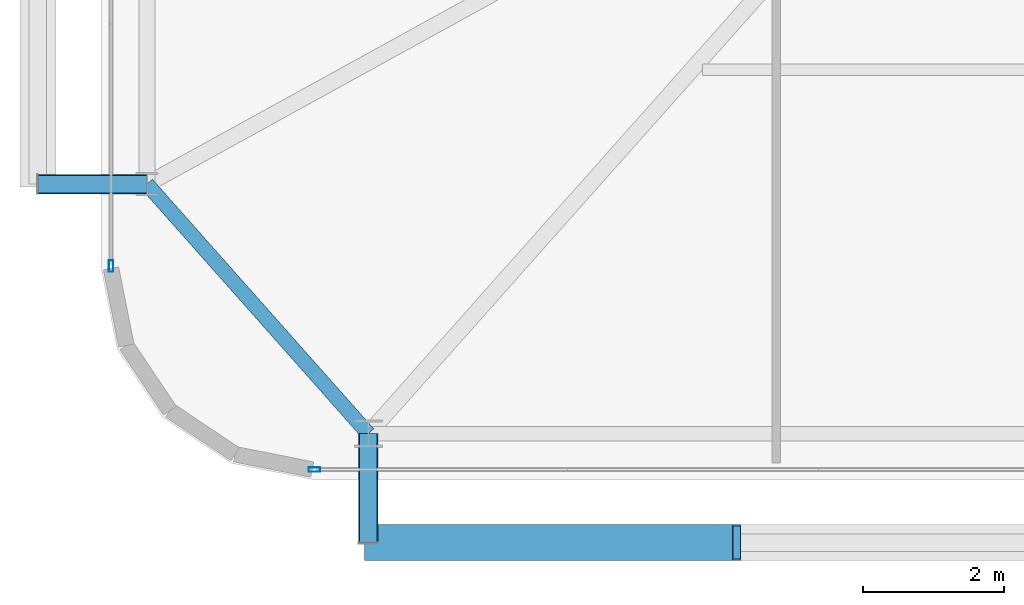
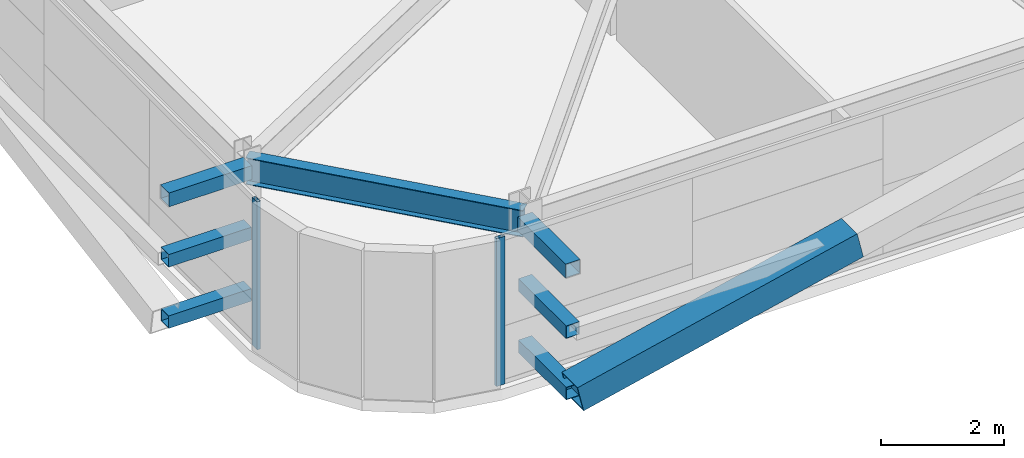
# One storey, part 5 of 44: 9 members, 1 beam, 2 elements without a shape of their own.
"""IFC4 building model written with IfcOpenShell, lengths in metres."""

from ifc_helpers import new_model, si_unit, direction, frame, origin, origin_2d, place, context, subcontext, project, spatial, hollow_rectangle, i_section, extrude, source, transform, mapped, material, layer, layer_set, material_profile, profile_set, type_object, element, aggregate, save


model = new_model("IFC4")

# Units and contexts
model_context = context("Model", 3, precision=1e-05, world=origin(), true_north=direction((0.0, 1.0)))
body_context = subcontext(model_context, "Body", "Model", "MODEL_VIEW")
ifc_project = project(units=[si_unit("LENGTHUNIT", "METRE"), si_unit("AREAUNIT", "SQUARE_METRE"), si_unit("VOLUMEUNIT", "CUBIC_METRE"), si_unit("PLANEANGLEUNIT", "RADIAN"), si_unit("MASSUNIT", "GRAM", prefix="KILO")], contexts=[model_context])

# Site, building, storey
site_placement = place(None, origin())
site = spatial("IfcSite", under=ifc_project, at=site_placement, CompositionType="ELEMENT")
building_placement = place(site_placement, origin())
building = spatial("IfcBuilding", under=site, at=building_placement, Name="Taldren Reach Tower", CompositionType="ELEMENT")
storey_placement = place(building_placement, frame((0.0, 0.0, 42.0)))
storey = spatial("IfcBuildingStorey", under=building, at=storey_placement, Name="L12", CompositionType="ELEMENT", Elevation=42.0)

# Beam
ifc_material_1 = material(Name="Steel Gr 350 (350PLUS)", Category="steel")
ifc_material_profile_1 = material_profile(ifc_material_1, i_section(OverallWidth=0.208984375, OverallDepth=0.528076171875, WebThickness=0.009521484375, FlangeThickness=0.01318359375, at=origin_2d()), Name="530UB82.0")
ifc_profile_set_1 = profile_set([ifc_material_profile_1], Name="Steel Gr 350 (350PLUS)")
beam_type = type_object("IfcBeamType", Name="SP-UB530B", PredefinedType="SPANDREL", material=ifc_profile_set_1)
shared_shape_1 = source(origin(), body_context, "Body", "SweptSolid", [
    extrude(i_section(OverallWidth=0.208984375, OverallDepth=0.528076171875, WebThickness=0.009521484375, FlangeThickness=0.01318359375, at=origin_2d()), origin(), (0.0, 0.0, 1.0), 4.74609375),
])
beam_placement = place(storey_placement, frame((5.64990234375, 5.699951171875, 2.666015625), z_axis=(0.663721843779, -0.747979487747, 0.0), x_axis=(0.747979487747, 0.663721843779, 0.0)))
element("IfcBeam", 1, at=beam_placement, inside=storey, type_object=beam_type, Name="Perimeter spandrel B1 W1-S1 L12", PredefinedType="SPANDREL", context=body_context, shape_type="MappedRepresentation", body=[
    mapped(shared_shape_1, transform((0.0, 0.0, 0.0), scale=1.0)),
])

# Members
ifc_material_2 = material(Name="Steel Gr 450 (C450L0)", Category="steel")
ifc_material_profile_2 = material_profile(ifc_material_2, hollow_rectangle(XDim=0.27490234375, YDim=0.27490234375, WallThickness=0.00927734375, at=origin_2d()), Name="275x275x9.3SHS")
ifc_profile_set_2 = profile_set([ifc_material_profile_2], Name="Steel Gr 450 (C450L0)")
member_type_1 = type_object("IfcMemberType", Name="MB-TIE273", PredefinedType="STRUT", material=ifc_profile_set_2)
shared_shape_2 = source(origin(), body_context, "Body", "SweptSolid", [
    extrude(hollow_rectangle(XDim=0.27490234375, YDim=0.27490234375, WallThickness=0.00927734375, at=origin_2d()), origin(), (0.0, 0.0, 1.0), 1.5498046875),
])
for number, where, z_axis, x_axis, name in (
    (2, (8.800048828125, 2.14990234375, 2.64990234375), (0.0, -1.0, 0.0), (1.0, 0.0, 0.0), "Exoskeleton diaphragm tie strut B1-S1 L12"),
    (3, (5.64990234375, 5.699951171875, 2.64990234375), (-1.0, 0.0, 0.0), (0.0, -1.0, 0.0), "Exoskeleton diaphragm tie strut B1-W1 L12"),
):
    element("IfcMember", number, at=place(storey_placement, frame(where, z_axis=z_axis, x_axis=x_axis)), inside=storey, type_object=member_type_1, Name=name, PredefinedType="STRUT", context=body_context, shape_type="MappedRepresentation", body=[
        mapped(shared_shape_2, transform((0.0, 0.0, 0.0), scale=1.0)),
    ])
ifc_material_profile_3 = material_profile(ifc_material_2, hollow_rectangle(XDim=0.510009765625, YDim=0.510009765625, WallThickness=0.02001953125, at=origin_2d()), Name="510x510x20.0SHS")
ifc_profile_set_3 = profile_set([ifc_material_profile_3], Name="Steel Gr 450 (C450L0)")
member_type_2 = type_object("IfcMemberType", Name="MB-EXO508", PredefinedType="BRACE", material=ifc_profile_set_3)
shared_shape_3 = source(origin(), body_context, "Body", "SweptSolid", [
    extrude(hollow_rectangle(XDim=0.510009765625, YDim=0.510009765625, WallThickness=0.02001953125, at=origin_2d()), origin(), (0.0, 0.0, 1.0), 5.37890625),
])
member_1_placement = place(storey_placement, frame((8.800048828125, 0.60009765625, 0.219970703125), z_axis=(0.97415197996, 0.0, 0.225893603143), x_axis=(0.0, 1.0, 0.0)))
element("IfcMember", 4, at=member_1_placement, inside=storey, type_object=member_type_2, Name="Exoskeleton Diagrid Brace B1-S1 L12", PredefinedType="BRACE", context=body_context, shape_type="MappedRepresentation", body=[
    mapped(shared_shape_3, transform((0.0, 0.0, 0.0), scale=1.0)),
])
ifc_material_3 = material(Name="Steel Gr 350 (C350L0)", Category="steel")
ifc_material_profile_4 = material_profile(ifc_material_3, hollow_rectangle(XDim=0.25, YDim=0.25, WallThickness=0.010009765625, at=origin_2d()), Name="250x250x10.0SHS")
ifc_profile_set_4 = profile_set([ifc_material_profile_4], Name="Steel Gr 350 (C350L0)")
member_type_3 = type_object("IfcMemberType", Name="MB-POST250", PredefinedType="POST", material=ifc_profile_set_4)
shared_shape_4 = source(origin(), body_context, "Body", "SweptSolid", [
    extrude(hollow_rectangle(XDim=0.25, YDim=0.25, WallThickness=0.010009765625, at=origin_2d()), origin(), (0.0, 0.0, 1.0), 1.5498046875),
])
for number, where, z_axis, x_axis, name in (
    (5, (8.800048828125, 2.14990234375, 0.219970703125), (0.0, -1.0, 0.0), (1.0, 0.0, 0.0), "Exoskeleton base diaphragm tie strut B1-S1 L12"),
    (6, (5.64990234375, 5.699951171875, 0.219970703125), (-1.0, 0.0, 0.0), (0.0, -1.0, 0.0), "Exoskeleton base diaphragm tie strut B1-W1 L12"),
    (7, (8.800048828125, 2.14990234375, 1.43505859375), (0.0, -1.0, 0.0), (1.0, 0.0, 0.0), "Exoskeleton mid-tier diaphragm tie B1-S1 L12"),
    (8, (5.64990234375, 5.699951171875, 1.43505859375), (-1.0, 0.0, 0.0), (0.0, -1.0, 0.0), "Exoskeleton mid-tier diaphragm tie B1-W1 L12"),
):
    element("IfcMember", number, at=place(storey_placement, frame(where, z_axis=z_axis, x_axis=x_axis)), inside=storey, type_object=member_type_3, Name=name, PredefinedType="POST", context=body_context, shape_type="MappedRepresentation", body=[
        mapped(shared_shape_4, transform((0.0, 0.0, 0.0), scale=1.0)),
    ])

# Curtain wall, member
ifc_material_4 = material(Name="Aluminium and Low-E Glass Unitised System", Category="aluminium")
ifc_layer = layer(ifc_material_4, 0.159912109375)
ifc_layer_set = layer_set([ifc_layer], Name="Aluminium and Low-E Glass Unitised System")
curtain_wall_type = type_object("IfcCurtainWallType", Name="CW-SYS-2", PredefinedType="NOTDEFINED", material=ifc_layer_set)
curtain_wall_1_placement = place(storey_placement, origin())
curtain_wall_1 = element("IfcCurtainWall", 9, at=curtain_wall_1_placement, inside=storey, type_object=curtain_wall_type, Name="Unitised curtain wall CW-L12-S", PredefinedType="NOTDEFINED")
ifc_material_5 = material(Name="Anodised Aluminium 6063-T6", Category="aluminium")
ifc_material_profile_5 = material_profile(ifc_material_5, hollow_rectangle(XDim=0.06494140625, YDim=0.1650390625, WallThickness=0.00390625, at=origin_2d()), Name="ALU-165x65x4RHS")
ifc_profile_set_5 = profile_set([ifc_material_profile_5], Name="Anodised Aluminium 6063-T6")
member_type_4 = type_object("IfcMemberType", Name="CW-MUL-165", PredefinedType="MULLION", material=ifc_profile_set_5)
shared_shape_5 = source(origin(), body_context, "Body", "SweptSolid", [
    extrude(hollow_rectangle(XDim=0.06494140625, YDim=0.1650390625, WallThickness=0.00390625, at=origin_2d()), origin(), (0.0, 0.0, 1.0), 2.929931640625),
])
member_2_placement = place(storey_placement, frame((8.032470703125, 1.639892578125, 0.0), z_axis=(0.0, 0.0, 1.0), x_axis=(0.0, 1.0, 0.0)))
member_2 = element("IfcMember", 10, at=member_2_placement, type_object=member_type_4, Name="CW-2 mullion 1", PredefinedType="MULLION", context=body_context, shape_type="MappedRepresentation", body=[
    mapped(shared_shape_5, transform((0.0, 0.0, 0.0), scale=1.0)),
])
aggregate(curtain_wall_1, [member_2])

curtain_wall_2_placement = place(storey_placement, origin())
curtain_wall_2 = element("IfcCurtainWall", 11, at=curtain_wall_2_placement, inside=storey, type_object=curtain_wall_type, Name="Unitised curtain wall CW-L12-W", PredefinedType="NOTDEFINED")
member_3_placement = place(storey_placement, frame((5.139892578125, 4.532470703125, 0.0), z_axis=(0.0, 0.0, 1.0), x_axis=(1.0, 0.0, 0.0)))
member_3 = element("IfcMember", 12, at=member_3_placement, type_object=member_type_4, Name="CW-2 mullion 4", PredefinedType="MULLION", context=body_context, shape_type="MappedRepresentation", body=[
    mapped(shared_shape_5, transform((0.0, 0.0, 0.0), scale=1.0)),
])
aggregate(curtain_wall_2, [member_3])

save(model, "model.ifc")
